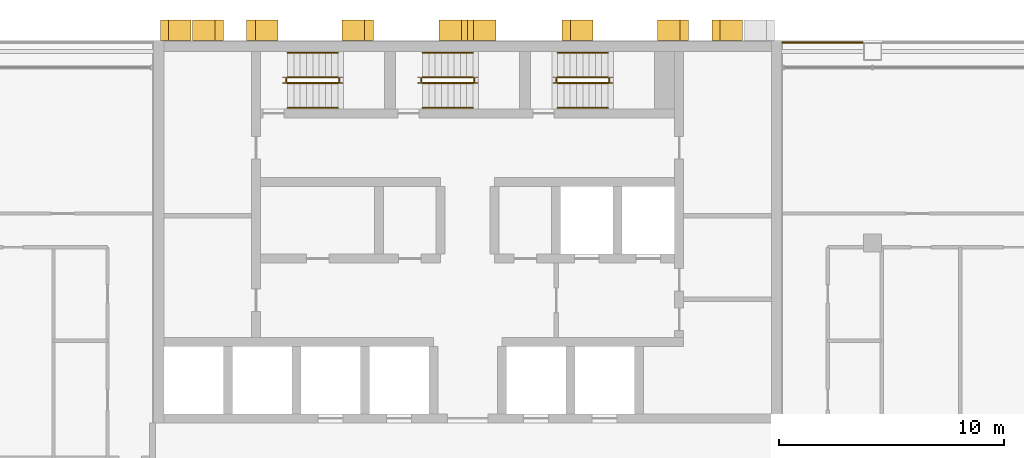
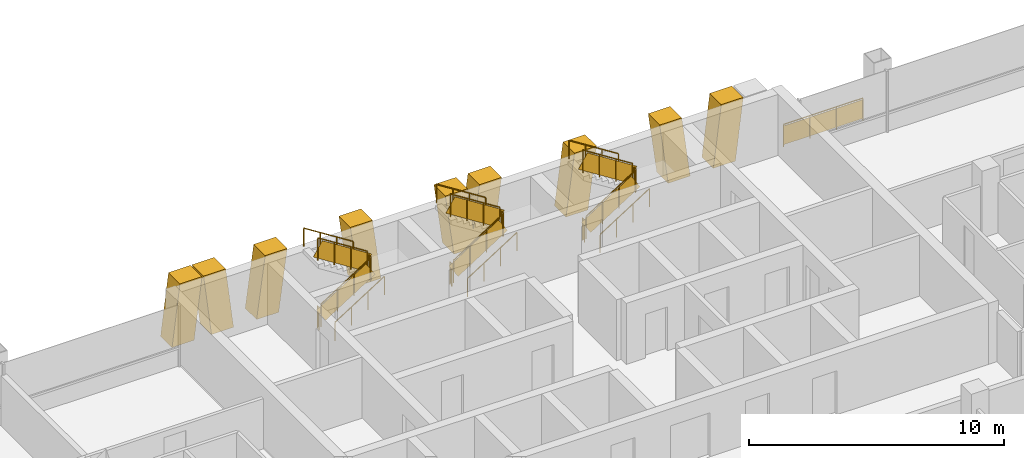
# One storey, part 15 of 16: 19 railings, 8 shading devices.
"""IFC4 building model written with IfcOpenShell, lengths in metres."""

import ifcopenshell
import ifcopenshell.guid

model = None  # the IFC model being written
_history = None  # IfcOwnerHistory: only IFC2X3 demands one
_inside = {}  # id of a spatial element -> (the spatial element, [elements in it])
_under = {}  # id of a project, library or spatial element -> (it, [spatial elements below it])
_declared = {}  # id of a project -> (the project, [libraries it declares])
_typed = {}  # id of a type object -> (the type object, [elements of that type])
_made_of = {}  # id of a material, layer set ... -> (it, [elements and type objects made of it])


def new_model(schema):
    """Start an empty IFC model of exactly this schema.

    Asked for "IFC4X3", IfcOpenShell would pick the latest addendum, in which some entities
    have other attributes; the version numbers below select the first issue.
    IFC2X3 requires an IfcOwnerHistory on every rooted entity: one is made here for all.
    """
    global model, _history
    if schema == "IFC4X3":
        model = ifcopenshell.file(schema_version=(4, 3, 0, 0))
    else:
        model = ifcopenshell.file(schema=schema)
    _inside.clear()
    _under.clear()
    _declared.clear()
    _typed.clear()
    _made_of.clear()
    _history = None
    if model.schema == "IFC2X3":
        org = make("IfcOrganization", Name="unknown")
        user = make(
            "IfcPersonAndOrganization",
            ThePerson=make("IfcPerson", FamilyName="unknown"),
            TheOrganization=org,
        )
        app = make(
            "IfcApplication",
            ApplicationDeveloper=org,
            Version="unknown",
            ApplicationFullName="unknown",
            ApplicationIdentifier="unknown",
        )
        _history = make(
            "IfcOwnerHistory",
            OwningUser=user,
            OwningApplication=app,
            ChangeAction="ADDED",
            CreationDate=0,
        )
    return model


def make(cls, **values):
    """One entity of the class cls with the attributes given. An attribute that is None is left unset."""
    return model.create_entity(
        cls, **{name: value for name, value in values.items() if value is not None}
    )


def rooted(cls, **values):
    """An entity with a GlobalId (a new one), such as an element, a storey or a relation."""
    return make(cls, GlobalId=ifcopenshell.guid.new(), OwnerHistory=_history, **values)


def si_unit(unit_type, name, prefix=None):
    """IfcSIUnit, for example si_unit("LENGTHUNIT", "METRE", prefix="MILLI")."""
    return make("IfcSIUnit", UnitType=unit_type, Prefix=prefix, Name=name)


def assignment(units):
    """IfcUnitAssignment: the units of a project."""
    return None if units is None else make("IfcUnitAssignment", Units=units)


def point(xyz):
    """IfcCartesianPoint."""
    return None if xyz is None else make("IfcCartesianPoint", Coordinates=xyz)


def direction(xyz):
    """IfcDirection."""
    return None if xyz is None else make("IfcDirection", DirectionRatios=xyz)


def frame(location, z_axis=None, x_axis=None):
    """IfcAxis2Placement3D, a coordinate frame: its origin and axes. An axis left out is left unset."""
    return make(
        "IfcAxis2Placement3D",
        Location=point(location),
        Axis=direction(z_axis),
        RefDirection=direction(x_axis),
    )


def frame_2d(location, x_axis=None):
    """IfcAxis2Placement2D, a coordinate frame in the plane: its origin and x axis."""
    return make(
        "IfcAxis2Placement2D", Location=point(location), RefDirection=direction(x_axis)
    )


def origin():
    """The frame at (0, 0, 0) with its axes left unset."""
    return frame((0.0, 0.0, 0.0))


def origin_2d():
    """The frame at (0, 0) in the plane with its x axis left unset."""
    return frame_2d((0.0, 0.0))


def place(relative_to, where):
    """IfcLocalPlacement: puts the frame where relative to a parent placement (None: the world)."""
    return make(
        "IfcLocalPlacement", PlacementRelTo=relative_to, RelativePlacement=where
    )


def context(
    kind, dimensions, precision=None, world=None, true_north=None, identifier=None
):
    """IfcGeometricRepresentationContext, for example the 3D "Model" context."""
    return make(
        "IfcGeometricRepresentationContext",
        ContextIdentifier=identifier,
        ContextType=kind,
        CoordinateSpaceDimension=dimensions,
        Precision=precision,
        WorldCoordinateSystem=world,
        TrueNorth=true_north,
    )


def subcontext(parent, identifier, kind, view, scale=None):
    """IfcGeometricRepresentationSubContext, for example "Body" below "Model"."""
    return make(
        "IfcGeometricRepresentationSubContext",
        ContextIdentifier=identifier,
        ContextType=kind,
        ParentContext=parent,
        TargetScale=scale,
        TargetView=view,
    )


def project(units=None, contexts=None):
    """IfcProject with its units and contexts."""
    return rooted(
        "IfcProject",
        Name="project",
        RepresentationContexts=contexts,
        UnitsInContext=assignment(units),
    )


def spatial(cls, under=None, at=None, **own):
    """A site, building, storey or space (cls), placed at a placement, below another one or the project."""
    s = rooted(cls, ObjectPlacement=at, **own)
    if under is not None:
        _under.setdefault(under.id(), (under, []))[1].append(s)
    return s


def polyline(points):
    """IfcPolyline through the points."""
    return make("IfcPolyline", Points=[point(p) for p in points])


def profile(cls, at=None, kind="AREA", **sizes):
    """A parametric profile (cls). Its sizes go by their IFC names, for example OverallWidth=200.0."""
    return make(cls, ProfileType=kind, Position=at, **sizes)


def rectangle(**sizes):
    """IfcRectangleProfileDef."""
    return profile("IfcRectangleProfileDef", **sizes)


def circle(**sizes):
    """IfcCircleProfileDef."""
    return profile("IfcCircleProfileDef", **sizes)


def outline(outer, holes=None, kind="AREA"):
    """IfcArbitraryClosedProfileDef: a profile drawn as a closed curve; with holes, ...WithVoids."""
    if holes is None:
        return make("IfcArbitraryClosedProfileDef", ProfileType=kind, OuterCurve=outer)
    return make(
        "IfcArbitraryProfileDefWithVoids",
        ProfileType=kind,
        OuterCurve=outer,
        InnerCurves=holes,
    )


def extrude(swept, where, along, depth):
    """IfcExtrudedAreaSolid: the profile swept, set in the frame where, extruded along a direction by depth."""
    return make(
        "IfcExtrudedAreaSolid",
        SweptArea=swept,
        Position=where,
        ExtrudedDirection=direction(along),
        Depth=depth,
    )


def shape(context_of_items, identifier, shape_type, items):
    """IfcShapeRepresentation: the items that make up one representation, for example the "Body"."""
    return make(
        "IfcShapeRepresentation",
        ContextOfItems=context_of_items,
        RepresentationIdentifier=identifier,
        RepresentationType=shape_type,
        Items=items,
    )


def material(Name=None, Category=None):
    """IfcMaterial."""
    return make("IfcMaterial", Name=Name, Category=Category)


def layer(
    of_material, thickness, ventilated=None, Name=None, Category=None, Priority=None
):
    """IfcMaterialLayer: one layer of a wall or slab, of a material (None: an air gap)."""
    return make(
        "IfcMaterialLayer",
        Material=of_material,
        LayerThickness=thickness,
        IsVentilated=ventilated,
        Name=Name,
        Category=Category,
        Priority=Priority,
    )


def layer_set(layers, Name=None):
    """IfcMaterialLayerSet."""
    return make("IfcMaterialLayerSet", MaterialLayers=layers, LayerSetName=Name)


def made_of(thing, what):
    """Note that an element or type object is made of a material, layer set ...; save() writes the relation."""
    if what is not None:
        _made_of.setdefault(what.id(), (what, []))[1].append(thing)
    return thing


def type_object(cls, material=None, **own):
    """A type object (cls), such as IfcWallType, which elements share."""
    return made_of(rooted(cls, **own), material)


def element(
    cls,
    number,
    at=None,
    inside=None,
    cuts=None,
    type_object=None,
    material=None,
    context=None,
    identifier="Body",
    shape_type=None,
    held_by="IfcProductDefinitionShape",
    body=None,
    shapes=None,
    **own,
):
    """One element of the class cls, such as IfcWall. Its Tag is "e" and its number.

    at: its placement. inside: the storey or other place that contains it. cuts: it is an
    opening in that element (IfcRelVoidsElement). A single representation is given by context,
    identifier, shape_type and body (its items); several are given by shapes. held_by: the class
    of the entity that holds the representations. save() writes the other relations.
    """
    e = rooted(cls, Tag="e%d" % number, ObjectPlacement=at, **own)
    if body is not None:
        shapes = [shape(context, identifier, shape_type, body)]
    if shapes is not None:
        e.Representation = make(held_by, Representations=shapes)
    if inside is not None:
        _inside.setdefault(inside.id(), (inside, []))[1].append(e)
    if cuts is not None:
        rooted(
            "IfcRelVoidsElement", RelatingBuildingElement=cuts, RelatedOpeningElement=e
        )
    if type_object is not None:
        _typed.setdefault(type_object.id(), (type_object, []))[1].append(e)
    return made_of(e, material)


def aggregate(whole, parts):
    """IfcRelAggregates: a whole, such as a stair, and the parts it consists of."""
    return rooted("IfcRelAggregates", RelatingObject=whole, RelatedObjects=parts)


def save(model, path):
    """Write the relations noted so far, then the file.

    IfcRelAggregates (storeys below a building ...), IfcRelContainedInSpatialStructure (elements
    in a storey), IfcRelDefinesByType, IfcRelAssociatesMaterial and IfcRelDeclares: one each for
    every whole, place, type object, material and project.
    """
    for whole, parts in _under.values():
        aggregate(whole, parts)
    for where, things in _inside.values():
        rooted(
            "IfcRelContainedInSpatialStructure",
            RelatedElements=things,
            RelatingStructure=where,
        )
    for kind, things in _typed.values():
        rooted("IfcRelDefinesByType", RelatedObjects=things, RelatingType=kind)
    for what, things in _made_of.values():
        rooted("IfcRelAssociatesMaterial", RelatedObjects=things, RelatingMaterial=what)
    for by, libraries in _declared.values():
        rooted("IfcRelDeclares", RelatingContext=by, RelatedDefinitions=libraries)
    model.write(path)


model = new_model("IFC4")

# Units and contexts
model_context = context("Model", 3, precision=1e-05, world=origin(), true_north=direction((0.0, 1.0)))
body_context = subcontext(model_context, "Body", "Model", "MODEL_VIEW")
ifc_project = project(units=[si_unit("LENGTHUNIT", "METRE"), si_unit("AREAUNIT", "SQUARE_METRE"), si_unit("VOLUMEUNIT", "CUBIC_METRE"), si_unit("PLANEANGLEUNIT", "RADIAN"), si_unit("MASSUNIT", "GRAM", prefix="KILO")], contexts=[model_context])

# Site, building, storey
site_placement = place(None, origin())
site = spatial("IfcSite", under=ifc_project, at=site_placement, CompositionType="ELEMENT")
building_placement = place(site_placement, origin())
building = spatial("IfcBuilding", under=site, at=building_placement, Name="Vidyagriha Tower", CompositionType="ELEMENT")
storey_placement = place(building_placement, frame((0.0, 0.0, 145.39990234375)))
storey = spatial("IfcBuildingStorey", under=building, at=storey_placement, Name="L38", CompositionType="ELEMENT", Elevation=145.39990234375)

# Shading devices
ifc_material_1 = material(Name="Precast concrete C40/50 with brick facing", Category="concrete")
ifc_layer_1 = layer(ifc_material_1, 1.0)
ifc_layer_set_1 = layer_set([ifc_layer_1], Name="Precast concrete C40/50 with brick facing")
shading_device_type_1 = type_object("IfcShadingDeviceType", Name="Brick-faced rear rib arm leaning 8 degrees", PredefinedType="USERDEFINED", material=ifc_layer_set_1)
shading_device_1_placement = place(storey_placement, frame((12.21435546875, 20.449951171875, 0.0), z_axis=(0.0, 0.0, 1.0), x_axis=(-1.0, 0.0, 0.0)))
element("IfcShadingDevice", 1, at=shading_device_1_placement, inside=storey, type_object=shading_device_type_1, Name="Rear rib arm L38 R08.1a", ObjectType="BLADE FIN", PredefinedType="USERDEFINED", context=body_context, shape_type="SweptSolid", body=[
    extrude(outline(polyline([(0.357177734375, 0.0), (1.357177734375, 0.0), (1.0, 2.920166015625), (0.0, 2.920166015625), (0.357177734375, 0.0)])), frame((0.0, 0.449951171875, 0.0), z_axis=(0.0, -1.0, 0.0), x_axis=(1.0, 0.0, 0.0)), (0.0, 0.0, 1.0), 0.89990234375),
])
shading_device_2_placement = place(storey_placement, frame((5.5712890625, 20.449951171875, 0.0), z_axis=(0.0, 0.0, 1.0), x_axis=(-1.0, 0.0, 0.0)))
element("IfcShadingDevice", 2, at=shading_device_2_placement, inside=storey, type_object=shading_device_type_1, Name="Rear rib arm L38 R08.2a", ObjectType="BLADE FIN", PredefinedType="USERDEFINED", context=body_context, shape_type="SweptSolid", body=[
    extrude(outline(polyline([(0.3857421875, 0.0), (1.3857421875, 0.0), (1.0, 2.920166015625), (0.0, 2.920166015625), (0.3857421875, 0.0)])), frame((0.0, 0.449951171875, 0.0), z_axis=(0.0, -1.0, 0.0), x_axis=(1.0, 0.0, 0.0)), (0.0, 0.0, 1.0), 0.89990234375),
])
shading_device_3_placement = place(storey_placement, frame((9.814208984375, 20.449951171875, 0.0), z_axis=(0.0, 0.0, 1.0), x_axis=(-1.0, 0.0, 0.0)))
element("IfcShadingDevice", 3, at=shading_device_3_placement, inside=storey, type_object=shading_device_type_1, Name="Rear rib arm L38 R08.2b", ObjectType="BLADE FIN", PredefinedType="USERDEFINED", context=body_context, shape_type="SweptSolid", body=[
    extrude(outline(polyline([(0.0, 0.0), (1.0, 0.0), (1.3857421875, 2.920166015625), (0.3857421875, 2.920166015625), (0.0, 0.0)])), frame((0.0, 0.449951171875, 0.0), z_axis=(0.0, -1.0, 0.0), x_axis=(1.0, 0.0, 0.0)), (0.0, 0.0, 1.0), 0.89990234375),
])
shading_device_4_placement = place(storey_placement, frame((-8.4287109375, 20.449951171875, 0.0), z_axis=(0.0, 0.0, 1.0), x_axis=(-1.0, 0.0, 0.0)))
element("IfcShadingDevice", 4, at=shading_device_4_placement, inside=storey, type_object=shading_device_type_1, Name="Rear rib arm L38 R08.4a", ObjectType="BLADE FIN", PredefinedType="USERDEFINED", context=body_context, shape_type="SweptSolid", body=[
    extrude(outline(polyline([(0.3857421875, 0.0), (1.3857421875, 0.0), (1.0, 2.920166015625), (0.0, 2.920166015625), (0.3857421875, 0.0)])), frame((0.0, 0.449951171875, 0.0), z_axis=(0.0, -1.0, 0.0), x_axis=(1.0, 0.0, 0.0)), (0.0, 0.0, 1.0), 0.89990234375),
])
shading_device_5_placement = place(storey_placement, frame((-4.185791015625, 20.449951171875, 0.0), z_axis=(0.0, 0.0, 1.0), x_axis=(-1.0, 0.0, 0.0)))
element("IfcShadingDevice", 5, at=shading_device_5_placement, inside=storey, type_object=shading_device_type_1, Name="Rear rib arm L38 R08.4b", ObjectType="BLADE FIN", PredefinedType="USERDEFINED", context=body_context, shape_type="SweptSolid", body=[
    extrude(outline(polyline([(0.0, 0.0), (1.0, 0.0), (1.3857421875, 2.920166015625), (0.3857421875, 2.920166015625), (0.0, 0.0)])), frame((0.0, 0.449951171875, 0.0), z_axis=(0.0, -1.0, 0.0), x_axis=(1.0, 0.0, 0.0)), (0.0, 0.0, 1.0), 0.89990234375),
])
shading_device_6_placement = place(storey_placement, frame((-12.28564453125, 20.449951171875, 0.0), z_axis=(0.0, 0.0, 1.0), x_axis=(-1.0, 0.0, 0.0)))
element("IfcShadingDevice", 6, at=shading_device_6_placement, inside=storey, type_object=shading_device_type_1, Name="Rear rib arm L38 R08.5a", ObjectType="BLADE FIN", PredefinedType="USERDEFINED", context=body_context, shape_type="SweptSolid", body=[
    extrude(outline(polyline([(0.357177734375, 0.0), (1.357177734375, 0.0), (1.0, 2.920166015625), (0.0, 2.920166015625), (0.357177734375, 0.0)])), frame((0.0, 0.449951171875, 0.0), z_axis=(0.0, -1.0, 0.0), x_axis=(1.0, 0.0, 0.0)), (0.0, 0.0, 1.0), 0.89990234375),
])
shading_device_7_placement = place(storey_placement, frame((-10.857177734375, 20.449951171875, 0.0), z_axis=(0.0, 0.0, 1.0), x_axis=(-1.0, 0.0, 0.0)))
element("IfcShadingDevice", 7, at=shading_device_7_placement, inside=storey, type_object=shading_device_type_1, Name="Rear rib arm L38 R08.5b", ObjectType="BLADE FIN", PredefinedType="USERDEFINED", context=body_context, shape_type="SweptSolid", body=[
    extrude(outline(polyline([(0.0, 0.0), (1.0, 0.0), (1.357177734375, 2.920166015625), (0.357177734375, 2.920166015625), (0.0, 0.0)])), frame((0.0, 0.449951171875, 0.0), z_axis=(0.0, -1.0, 0.0), x_axis=(1.0, 0.0, 0.0)), (0.0, 0.0, 1.0), 0.89990234375),
])
ifc_material_2 = material(Name="Precast concrete C40/50 with brick facing", Category="concrete")
ifc_layer_2 = layer(ifc_material_2, 1.0)
ifc_layer_set_2 = layer_set([ifc_layer_2], Name="Precast concrete C40/50 with brick facing")
shading_device_type_2 = type_object("IfcShadingDeviceType", Name="Brick-faced rear rib forking 8 degrees", PredefinedType="USERDEFINED", material=ifc_layer_set_2)
shading_device_8_placement = place(storey_placement, frame((1.271484375, 20.449951171875, 0.0), z_axis=(0.0, 0.0, 1.0), x_axis=(-1.0, 0.0, 0.0)))
element("IfcShadingDevice", 8, at=shading_device_8_placement, inside=storey, type_object=shading_device_type_2, Name="Rear rib fork L38 R08.3a", ObjectType="BLADE FIN", PredefinedType="USERDEFINED", context=body_context, shape_type="SweptSolid", body=[
    extrude(outline(polyline([(0.3857421875, 0.0), (2.156982421875, 0.0), (2.542724609375, 2.920166015625), (1.542724609375, 2.920166015625), (1.271484375, 0.865234375), (1.0, 2.920166015625), (0.0, 2.920166015625), (0.3857421875, 0.0)])), frame((0.0, 0.449951171875, 0.0), z_axis=(0.0, -1.0, 0.0), x_axis=(1.0, 0.0, 0.0)), (0.0, 0.0, 1.0), 0.89990234375),
])

# Railings
ifc_material_3 = material(Name="Steel ASTM A500 Grade C black painted", Category="steel")
railing_type_1 = type_object("IfcRailingType", Name="Gallery guard 1100", PredefinedType="GUARDRAIL", material=ifc_material_3)
railing_1_placement = place(storey_placement, frame((13.97998046875, 19.89990234375, 0.0)))
element("IfcRailing", 9, at=railing_1_placement, inside=storey, type_object=railing_type_1, Name="Gallery guard L38 9", PredefinedType="GUARDRAIL", context=body_context, shape_type="SweptSolid", body=[
    extrude(circle(Radius=0.02490234375, at=origin_2d()), frame((0.0, 0.0, 1.0751953125), z_axis=(1.0, 0.0, 0.0), x_axis=(0.0, 1.0, 0.0)), (0.0, 0.0, 1.0), 3.590087890625),
    extrude(circle(Radius=0.02001953125, at=origin_2d()), origin(), (0.0, 0.0, 1.0), 1.050048828125),
    extrude(circle(Radius=0.02001953125, at=origin_2d()), frame((1.19677734375, 0.0, 0.0)), (0.0, 0.0, 1.0), 1.050048828125),
    extrude(circle(Radius=0.02001953125, at=origin_2d()), frame((2.393310546875, 0.0, 0.0)), (0.0, 0.0, 1.0), 1.050048828125),
    extrude(circle(Radius=0.02001953125, at=origin_2d()), frame((3.590087890625, 0.0, 0.0)), (0.0, 0.0, 1.0), 1.050048828125),
    extrude(rectangle(XDim=0.010009765625, YDim=0.900146484375, at=origin_2d()), frame((0.0, 0.0, 0.550048828125), z_axis=(1.0, 0.0, 0.0), x_axis=(0.0, 1.0, 0.0)), (0.0, 0.0, 1.0), 3.590087890625),
])
ifc_material_4 = material(Name="Steel ASTM A500 Grade C", Category="steel")
railing_type_2 = type_object("IfcRailingType", Name="Stair guard 1100 mm, steel balustrade", PredefinedType="GUARDRAIL", material=ifc_material_4)
railing_2_placement = place(storey_placement, frame((-8.0, 18.10009765625, 0.177978515625)))
element("IfcRailing", 10, at=railing_2_placement, inside=storey, type_object=railing_type_2, Name="L38 ST1 stair guard 1", PredefinedType="GUARDRAIL", context=body_context, shape_type="SweptSolid", body=[
    extrude(circle(Radius=0.02392578125, at=origin_2d()), frame((0.0, 0.0, 1.076171875), z_axis=(0.8442293374, 0.0, 0.53598211339), x_axis=(0.0, 1.0, 0.0)), (0.0, 0.0, 1.0), 2.6533203125),
    extrude(circle(Radius=0.02099609375, at=origin_2d()), origin(), (0.0, 0.0, 1.0), 1.052001953125),
    extrude(circle(Radius=0.02099609375, at=origin_2d()), frame((0.74658203125, 0.0, 0.47412109375)), (0.0, 0.0, 1.0), 1.052001953125),
    extrude(circle(Radius=0.02099609375, at=origin_2d()), frame((1.493408203125, 0.0, 0.947998046875)), (0.0, 0.0, 1.0), 1.052001953125),
    extrude(circle(Radius=0.02099609375, at=origin_2d()), frame((2.239990234375, 0.0, 1.422119140625)), (0.0, 0.0, 1.0), 1.052001953125),
    extrude(rectangle(XDim=0.010009765625, YDim=0.761474609375, at=origin_2d()), frame((0.0, 0.0, 0.551025390625), z_axis=(0.8442293374, 0.0, 0.53598211339), x_axis=(0.0, 1.0, 0.0)), (0.0, 0.0, 1.0), 2.6533203125),
])
railing_3_placement = place(storey_placement, frame((-5.7099609375, 18.14990234375, 1.60009765625)))
element("IfcRailing", 11, at=railing_3_placement, inside=storey, type_object=railing_type_2, Name="L38 ST1 stair guard 2", PredefinedType="GUARDRAIL", context=body_context, shape_type="SweptSolid", body=[
    extrude(circle(Radius=0.02392578125, at=origin_2d()), frame((0.0, 0.0, 1.076171875), z_axis=(0.0, 1.0, 0.0), x_axis=(-1.0, 0.0, 0.0)), (0.0, 0.0, 1.0), 0.150146484375),
    extrude(circle(Radius=0.02099609375, at=origin_2d()), origin(), (0.0, 0.0, 1.0), 1.052001953125),
    extrude(circle(Radius=0.02099609375, at=origin_2d()), frame((0.0, 0.150146484375, 0.0)), (0.0, 0.0, 1.0), 1.052001953125),
    extrude(rectangle(XDim=0.010009765625, YDim=0.902099609375, at=origin_2d()), frame((0.0, 0.0, 0.551025390625), z_axis=(0.0, 1.0, 0.0), x_axis=(-1.0, 0.0, 0.0)), (0.0, 0.0, 1.0), 0.150146484375),
])
railing_4_placement = place(storey_placement, frame((-5.760009765625, 18.35009765625, 1.77783203125)))
element("IfcRailing", 12, at=railing_4_placement, inside=storey, type_object=railing_type_2, Name="L38 ST1 stair guard 3", PredefinedType="GUARDRAIL", context=body_context, shape_type="SweptSolid", body=[
    extrude(circle(Radius=0.02392578125, at=origin_2d()), frame((0.0, 0.0, 1.076171875), z_axis=(-0.84418770128, 0.0, 0.536047689118), x_axis=(0.0, -1.0, 0.0)), (0.0, 0.0, 1.0), 2.6533203125),
    extrude(circle(Radius=0.02099609375, at=origin_2d()), origin(), (0.0, 0.0, 1.0), 1.052001953125),
    extrude(circle(Radius=0.02099609375, at=origin_2d()), frame((-0.74658203125, 0.0, 0.47412109375)), (0.0, 0.0, 1.0), 1.052001953125),
    extrude(circle(Radius=0.02099609375, at=origin_2d()), frame((-1.493408203125, 0.0, 0.9482421875)), (0.0, 0.0, 1.0), 1.052001953125),
    extrude(circle(Radius=0.02099609375, at=origin_2d()), frame((-2.239990234375, 0.0, 1.42236328125)), (0.0, 0.0, 1.0), 1.052001953125),
    extrude(rectangle(XDim=0.010009765625, YDim=0.761474609375, at=origin_2d()), frame((0.0, 0.0, 0.551025390625), z_axis=(-0.84418770128, 0.0, 0.536047689118), x_axis=(0.0, -1.0, 0.0)), (0.0, 0.0, 1.0), 2.6533203125),
])
railing_5_placement = place(storey_placement, frame((-8.050048828125, 18.14990234375, 0.0)))
element("IfcRailing", 13, at=railing_5_placement, inside=storey, type_object=railing_type_2, Name="L38 ST1 stair guard 4", PredefinedType="GUARDRAIL", context=body_context, shape_type="SweptSolid", body=[
    extrude(circle(Radius=0.02392578125, at=origin_2d()), frame((0.0, 0.0, 1.076171875), z_axis=(0.0, 1.0, 0.0), x_axis=(-1.0, 0.0, 0.0)), (0.0, 0.0, 1.0), 0.150146484375),
    extrude(circle(Radius=0.02099609375, at=origin_2d()), origin(), (0.0, 0.0, 1.0), 1.052001953125),
    extrude(circle(Radius=0.02099609375, at=origin_2d()), frame((0.0, 0.150146484375, 0.0)), (0.0, 0.0, 1.0), 1.052001953125),
    extrude(rectangle(XDim=0.010009765625, YDim=0.902099609375, at=origin_2d()), frame((0.0, 0.0, 0.551025390625), z_axis=(0.0, 1.0, 0.0), x_axis=(-1.0, 0.0, 0.0)), (0.0, 0.0, 1.0), 0.150146484375),
])
railing_6_placement = place(storey_placement, frame((-2.0, 18.10009765625, 0.177978515625)))
element("IfcRailing", 14, at=railing_6_placement, inside=storey, type_object=railing_type_2, Name="L38 ST2 stair guard 1", PredefinedType="GUARDRAIL", context=body_context, shape_type="SweptSolid", body=[
    extrude(circle(Radius=0.02392578125, at=origin_2d()), frame((0.0, 0.0, 1.076171875), z_axis=(0.8442293374, 0.0, 0.53598211339), x_axis=(0.0, 1.0, 0.0)), (0.0, 0.0, 1.0), 2.6533203125),
    extrude(circle(Radius=0.02099609375, at=origin_2d()), origin(), (0.0, 0.0, 1.0), 1.052001953125),
    extrude(circle(Radius=0.02099609375, at=origin_2d()), frame((0.74658203125, 0.0, 0.47412109375)), (0.0, 0.0, 1.0), 1.052001953125),
    extrude(circle(Radius=0.02099609375, at=origin_2d()), frame((1.493408203125, 0.0, 0.947998046875)), (0.0, 0.0, 1.0), 1.052001953125),
    extrude(circle(Radius=0.02099609375, at=origin_2d()), frame((2.239990234375, 0.0, 1.422119140625)), (0.0, 0.0, 1.0), 1.052001953125),
    extrude(rectangle(XDim=0.010009765625, YDim=0.761474609375, at=origin_2d()), frame((0.0, 0.0, 0.551025390625), z_axis=(0.8442293374, 0.0, 0.53598211339), x_axis=(0.0, 1.0, 0.0)), (0.0, 0.0, 1.0), 2.6533203125),
])
railing_7_placement = place(storey_placement, frame((0.2900390625, 18.14990234375, 1.60009765625)))
element("IfcRailing", 15, at=railing_7_placement, inside=storey, type_object=railing_type_2, Name="L38 ST2 stair guard 2", PredefinedType="GUARDRAIL", context=body_context, shape_type="SweptSolid", body=[
    extrude(circle(Radius=0.02392578125, at=origin_2d()), frame((0.0, 0.0, 1.076171875), z_axis=(0.0, 1.0, 0.0), x_axis=(-1.0, 0.0, 0.0)), (0.0, 0.0, 1.0), 0.150146484375),
    extrude(circle(Radius=0.02099609375, at=origin_2d()), origin(), (0.0, 0.0, 1.0), 1.052001953125),
    extrude(circle(Radius=0.02099609375, at=origin_2d()), frame((0.0, 0.150146484375, 0.0)), (0.0, 0.0, 1.0), 1.052001953125),
    extrude(rectangle(XDim=0.010009765625, YDim=0.902099609375, at=origin_2d()), frame((0.0, 0.0, 0.551025390625), z_axis=(0.0, 1.0, 0.0), x_axis=(-1.0, 0.0, 0.0)), (0.0, 0.0, 1.0), 0.150146484375),
])
railing_8_placement = place(storey_placement, frame((0.239990234375, 18.35009765625, 1.77783203125)))
element("IfcRailing", 16, at=railing_8_placement, inside=storey, type_object=railing_type_2, Name="L38 ST2 stair guard 3", PredefinedType="GUARDRAIL", context=body_context, shape_type="SweptSolid", body=[
    extrude(circle(Radius=0.02392578125, at=origin_2d()), frame((0.0, 0.0, 1.076171875), z_axis=(-0.84418770128, 0.0, 0.536047689118), x_axis=(0.0, -1.0, 0.0)), (0.0, 0.0, 1.0), 2.6533203125),
    extrude(circle(Radius=0.02099609375, at=origin_2d()), origin(), (0.0, 0.0, 1.0), 1.052001953125),
    extrude(circle(Radius=0.02099609375, at=origin_2d()), frame((-0.74658203125, 0.0, 0.47412109375)), (0.0, 0.0, 1.0), 1.052001953125),
    extrude(circle(Radius=0.02099609375, at=origin_2d()), frame((-1.493408203125, 0.0, 0.9482421875)), (0.0, 0.0, 1.0), 1.052001953125),
    extrude(circle(Radius=0.02099609375, at=origin_2d()), frame((-2.239990234375, 0.0, 1.42236328125)), (0.0, 0.0, 1.0), 1.052001953125),
    extrude(rectangle(XDim=0.010009765625, YDim=0.761474609375, at=origin_2d()), frame((0.0, 0.0, 0.551025390625), z_axis=(-0.84418770128, 0.0, 0.536047689118), x_axis=(0.0, -1.0, 0.0)), (0.0, 0.0, 1.0), 2.6533203125),
])
railing_9_placement = place(storey_placement, frame((-2.050048828125, 18.14990234375, 0.0)))
element("IfcRailing", 17, at=railing_9_placement, inside=storey, type_object=railing_type_2, Name="L38 ST2 stair guard 4", PredefinedType="GUARDRAIL", context=body_context, shape_type="SweptSolid", body=[
    extrude(circle(Radius=0.02392578125, at=origin_2d()), frame((0.0, 0.0, 1.076171875), z_axis=(0.0, 1.0, 0.0), x_axis=(-1.0, 0.0, 0.0)), (0.0, 0.0, 1.0), 0.150146484375),
    extrude(circle(Radius=0.02099609375, at=origin_2d()), origin(), (0.0, 0.0, 1.0), 1.052001953125),
    extrude(circle(Radius=0.02099609375, at=origin_2d()), frame((0.0, 0.150146484375, 0.0)), (0.0, 0.0, 1.0), 1.052001953125),
    extrude(rectangle(XDim=0.010009765625, YDim=0.902099609375, at=origin_2d()), frame((0.0, 0.0, 0.551025390625), z_axis=(0.0, 1.0, 0.0), x_axis=(-1.0, 0.0, 0.0)), (0.0, 0.0, 1.0), 0.150146484375),
])
railing_10_placement = place(storey_placement, frame((4.0, 18.10009765625, 0.177978515625)))
element("IfcRailing", 18, at=railing_10_placement, inside=storey, type_object=railing_type_2, Name="L38 ST3 stair guard 1", PredefinedType="GUARDRAIL", context=body_context, shape_type="SweptSolid", body=[
    extrude(circle(Radius=0.02392578125, at=origin_2d()), frame((0.0, 0.0, 1.076171875), z_axis=(0.8442293374, 0.0, 0.53598211339), x_axis=(0.0, 1.0, 0.0)), (0.0, 0.0, 1.0), 2.6533203125),
    extrude(circle(Radius=0.02099609375, at=origin_2d()), origin(), (0.0, 0.0, 1.0), 1.052001953125),
    extrude(circle(Radius=0.02099609375, at=origin_2d()), frame((0.74658203125, 0.0, 0.47412109375)), (0.0, 0.0, 1.0), 1.052001953125),
    extrude(circle(Radius=0.02099609375, at=origin_2d()), frame((1.493408203125, 0.0, 0.947998046875)), (0.0, 0.0, 1.0), 1.052001953125),
    extrude(circle(Radius=0.02099609375, at=origin_2d()), frame((2.239990234375, 0.0, 1.422119140625)), (0.0, 0.0, 1.0), 1.052001953125),
    extrude(rectangle(XDim=0.010009765625, YDim=0.761474609375, at=origin_2d()), frame((0.0, 0.0, 0.551025390625), z_axis=(0.8442293374, 0.0, 0.53598211339), x_axis=(0.0, 1.0, 0.0)), (0.0, 0.0, 1.0), 2.6533203125),
])
railing_11_placement = place(storey_placement, frame((6.2900390625, 18.14990234375, 1.60009765625)))
element("IfcRailing", 19, at=railing_11_placement, inside=storey, type_object=railing_type_2, Name="L38 ST3 stair guard 2", PredefinedType="GUARDRAIL", context=body_context, shape_type="SweptSolid", body=[
    extrude(circle(Radius=0.02392578125, at=origin_2d()), frame((0.0, 0.0, 1.076171875), z_axis=(0.0, 1.0, 0.0), x_axis=(-1.0, 0.0, 0.0)), (0.0, 0.0, 1.0), 0.150146484375),
    extrude(circle(Radius=0.02099609375, at=origin_2d()), origin(), (0.0, 0.0, 1.0), 1.052001953125),
    extrude(circle(Radius=0.02099609375, at=origin_2d()), frame((0.0, 0.150146484375, 0.0)), (0.0, 0.0, 1.0), 1.052001953125),
    extrude(rectangle(XDim=0.010009765625, YDim=0.902099609375, at=origin_2d()), frame((0.0, 0.0, 0.551025390625), z_axis=(0.0, 1.0, 0.0), x_axis=(-1.0, 0.0, 0.0)), (0.0, 0.0, 1.0), 0.150146484375),
])
railing_12_placement = place(storey_placement, frame((6.239990234375, 18.35009765625, 1.77783203125)))
element("IfcRailing", 20, at=railing_12_placement, inside=storey, type_object=railing_type_2, Name="L38 ST3 stair guard 3", PredefinedType="GUARDRAIL", context=body_context, shape_type="SweptSolid", body=[
    extrude(circle(Radius=0.02392578125, at=origin_2d()), frame((0.0, 0.0, 1.076171875), z_axis=(-0.84418770128, 0.0, 0.536047689118), x_axis=(0.0, -1.0, 0.0)), (0.0, 0.0, 1.0), 2.6533203125),
    extrude(circle(Radius=0.02099609375, at=origin_2d()), origin(), (0.0, 0.0, 1.0), 1.052001953125),
    extrude(circle(Radius=0.02099609375, at=origin_2d()), frame((-0.74658203125, 0.0, 0.47412109375)), (0.0, 0.0, 1.0), 1.052001953125),
    extrude(circle(Radius=0.02099609375, at=origin_2d()), frame((-1.493408203125, 0.0, 0.9482421875)), (0.0, 0.0, 1.0), 1.052001953125),
    extrude(circle(Radius=0.02099609375, at=origin_2d()), frame((-2.239990234375, 0.0, 1.42236328125)), (0.0, 0.0, 1.0), 1.052001953125),
    extrude(rectangle(XDim=0.010009765625, YDim=0.761474609375, at=origin_2d()), frame((0.0, 0.0, 0.551025390625), z_axis=(-0.84418770128, 0.0, 0.536047689118), x_axis=(0.0, -1.0, 0.0)), (0.0, 0.0, 1.0), 2.6533203125),
])
railing_13_placement = place(storey_placement, frame((3.949951171875, 18.14990234375, 0.0)))
element("IfcRailing", 21, at=railing_13_placement, inside=storey, type_object=railing_type_2, Name="L38 ST3 stair guard 4", PredefinedType="GUARDRAIL", context=body_context, shape_type="SweptSolid", body=[
    extrude(circle(Radius=0.02392578125, at=origin_2d()), frame((0.0, 0.0, 1.076171875), z_axis=(0.0, 1.0, 0.0), x_axis=(-1.0, 0.0, 0.0)), (0.0, 0.0, 1.0), 0.150146484375),
    extrude(circle(Radius=0.02099609375, at=origin_2d()), origin(), (0.0, 0.0, 1.0), 1.052001953125),
    extrude(circle(Radius=0.02099609375, at=origin_2d()), frame((0.0, 0.150146484375, 0.0)), (0.0, 0.0, 1.0), 1.052001953125),
    extrude(rectangle(XDim=0.010009765625, YDim=0.902099609375, at=origin_2d()), frame((0.0, 0.0, 0.551025390625), z_axis=(0.0, 1.0, 0.0), x_axis=(-1.0, 0.0, 0.0)), (0.0, 0.0, 1.0), 0.150146484375),
])
ifc_material_5 = material(Name="Steel ASTM A500 Grade C", Category="steel")
railing_type_3 = type_object("IfcRailingType", Name="Stair handrail 900 mm, steel", PredefinedType="HANDRAIL", material=ifc_material_5)
railing_14_placement = place(storey_placement, frame((-8.0, 17.0, 0.177978515625)))
element("IfcRailing", 22, at=railing_14_placement, inside=storey, type_object=railing_type_3, Name="L38 ST1 stair handrail 1", PredefinedType="HANDRAIL", context=body_context, shape_type="SweptSolid", body=[
    extrude(circle(Radius=0.02392578125, at=origin_2d()), frame((0.0, 0.0, 0.8759765625), z_axis=(0.8442293374, 0.0, 0.53598211339), x_axis=(0.0, 1.0, 0.0)), (0.0, 0.0, 1.0), 2.6533203125),
    extrude(circle(Radius=0.02099609375, at=origin_2d()), origin(), (0.0, 0.0, 1.0), 0.851806640625),
    extrude(circle(Radius=0.02099609375, at=origin_2d()), frame((0.74658203125, 0.0, 0.47412109375)), (0.0, 0.0, 1.0), 0.851806640625),
    extrude(circle(Radius=0.02099609375, at=origin_2d()), frame((1.493408203125, 0.0, 0.947998046875)), (0.0, 0.0, 1.0), 0.851806640625),
    extrude(circle(Radius=0.02099609375, at=origin_2d()), frame((2.239990234375, 0.0, 1.422119140625)), (0.0, 0.0, 1.0), 0.851806640625),
])
railing_15_placement = place(storey_placement, frame((-5.760009765625, 19.449951171875, 1.77783203125)))
element("IfcRailing", 23, at=railing_15_placement, inside=storey, type_object=railing_type_3, Name="L38 ST1 stair handrail 2", PredefinedType="HANDRAIL", context=body_context, shape_type="SweptSolid", body=[
    extrude(circle(Radius=0.02392578125, at=origin_2d()), frame((0.0, 0.0, 0.8759765625), z_axis=(-0.84418770128, 0.0, 0.536047689118), x_axis=(0.0, -1.0, 0.0)), (0.0, 0.0, 1.0), 2.6533203125),
    extrude(circle(Radius=0.02099609375, at=origin_2d()), origin(), (0.0, 0.0, 1.0), 0.851806640625),
    extrude(circle(Radius=0.02099609375, at=origin_2d()), frame((-0.74658203125, 0.0, 0.47412109375)), (0.0, 0.0, 1.0), 0.851806640625),
    extrude(circle(Radius=0.02099609375, at=origin_2d()), frame((-1.493408203125, 0.0, 0.9482421875)), (0.0, 0.0, 1.0), 0.851806640625),
    extrude(circle(Radius=0.02099609375, at=origin_2d()), frame((-2.239990234375, 0.0, 1.42236328125)), (0.0, 0.0, 1.0), 0.851806640625),
])
railing_16_placement = place(storey_placement, frame((-2.0, 17.0, 0.177978515625)))
element("IfcRailing", 24, at=railing_16_placement, inside=storey, type_object=railing_type_3, Name="L38 ST2 stair handrail 1", PredefinedType="HANDRAIL", context=body_context, shape_type="SweptSolid", body=[
    extrude(circle(Radius=0.02392578125, at=origin_2d()), frame((0.0, 0.0, 0.8759765625), z_axis=(0.8442293374, 0.0, 0.53598211339), x_axis=(0.0, 1.0, 0.0)), (0.0, 0.0, 1.0), 2.6533203125),
    extrude(circle(Radius=0.02099609375, at=origin_2d()), origin(), (0.0, 0.0, 1.0), 0.851806640625),
    extrude(circle(Radius=0.02099609375, at=origin_2d()), frame((0.74658203125, 0.0, 0.47412109375)), (0.0, 0.0, 1.0), 0.851806640625),
    extrude(circle(Radius=0.02099609375, at=origin_2d()), frame((1.493408203125, 0.0, 0.947998046875)), (0.0, 0.0, 1.0), 0.851806640625),
    extrude(circle(Radius=0.02099609375, at=origin_2d()), frame((2.239990234375, 0.0, 1.422119140625)), (0.0, 0.0, 1.0), 0.851806640625),
])
railing_17_placement = place(storey_placement, frame((0.239990234375, 19.449951171875, 1.77783203125)))
element("IfcRailing", 25, at=railing_17_placement, inside=storey, type_object=railing_type_3, Name="L38 ST2 stair handrail 2", PredefinedType="HANDRAIL", context=body_context, shape_type="SweptSolid", body=[
    extrude(circle(Radius=0.02392578125, at=origin_2d()), frame((0.0, 0.0, 0.8759765625), z_axis=(-0.84418770128, 0.0, 0.536047689118), x_axis=(0.0, -1.0, 0.0)), (0.0, 0.0, 1.0), 2.6533203125),
    extrude(circle(Radius=0.02099609375, at=origin_2d()), origin(), (0.0, 0.0, 1.0), 0.851806640625),
    extrude(circle(Radius=0.02099609375, at=origin_2d()), frame((-0.74658203125, 0.0, 0.47412109375)), (0.0, 0.0, 1.0), 0.851806640625),
    extrude(circle(Radius=0.02099609375, at=origin_2d()), frame((-1.493408203125, 0.0, 0.9482421875)), (0.0, 0.0, 1.0), 0.851806640625),
    extrude(circle(Radius=0.02099609375, at=origin_2d()), frame((-2.239990234375, 0.0, 1.42236328125)), (0.0, 0.0, 1.0), 0.851806640625),
])
railing_18_placement = place(storey_placement, frame((4.0, 17.0, 0.177978515625)))
element("IfcRailing", 26, at=railing_18_placement, inside=storey, type_object=railing_type_3, Name="L38 ST3 stair handrail 1", PredefinedType="HANDRAIL", context=body_context, shape_type="SweptSolid", body=[
    extrude(circle(Radius=0.02392578125, at=origin_2d()), frame((0.0, 0.0, 0.8759765625), z_axis=(0.8442293374, 0.0, 0.53598211339), x_axis=(0.0, 1.0, 0.0)), (0.0, 0.0, 1.0), 2.6533203125),
    extrude(circle(Radius=0.02099609375, at=origin_2d()), origin(), (0.0, 0.0, 1.0), 0.851806640625),
    extrude(circle(Radius=0.02099609375, at=origin_2d()), frame((0.74658203125, 0.0, 0.47412109375)), (0.0, 0.0, 1.0), 0.851806640625),
    extrude(circle(Radius=0.02099609375, at=origin_2d()), frame((1.493408203125, 0.0, 0.947998046875)), (0.0, 0.0, 1.0), 0.851806640625),
    extrude(circle(Radius=0.02099609375, at=origin_2d()), frame((2.239990234375, 0.0, 1.422119140625)), (0.0, 0.0, 1.0), 0.851806640625),
])
railing_19_placement = place(storey_placement, frame((6.239990234375, 19.449951171875, 1.77783203125)))
element("IfcRailing", 27, at=railing_19_placement, inside=storey, type_object=railing_type_3, Name="L38 ST3 stair handrail 2", PredefinedType="HANDRAIL", context=body_context, shape_type="SweptSolid", body=[
    extrude(circle(Radius=0.02392578125, at=origin_2d()), frame((0.0, 0.0, 0.8759765625), z_axis=(-0.84418770128, 0.0, 0.536047689118), x_axis=(0.0, -1.0, 0.0)), (0.0, 0.0, 1.0), 2.6533203125),
    extrude(circle(Radius=0.02099609375, at=origin_2d()), origin(), (0.0, 0.0, 1.0), 0.851806640625),
    extrude(circle(Radius=0.02099609375, at=origin_2d()), frame((-0.74658203125, 0.0, 0.47412109375)), (0.0, 0.0, 1.0), 0.851806640625),
    extrude(circle(Radius=0.02099609375, at=origin_2d()), frame((-1.493408203125, 0.0, 0.9482421875)), (0.0, 0.0, 1.0), 0.851806640625),
    extrude(circle(Radius=0.02099609375, at=origin_2d()), frame((-2.239990234375, 0.0, 1.42236328125)), (0.0, 0.0, 1.0), 0.851806640625),
])

save(model, "model.ifc")
